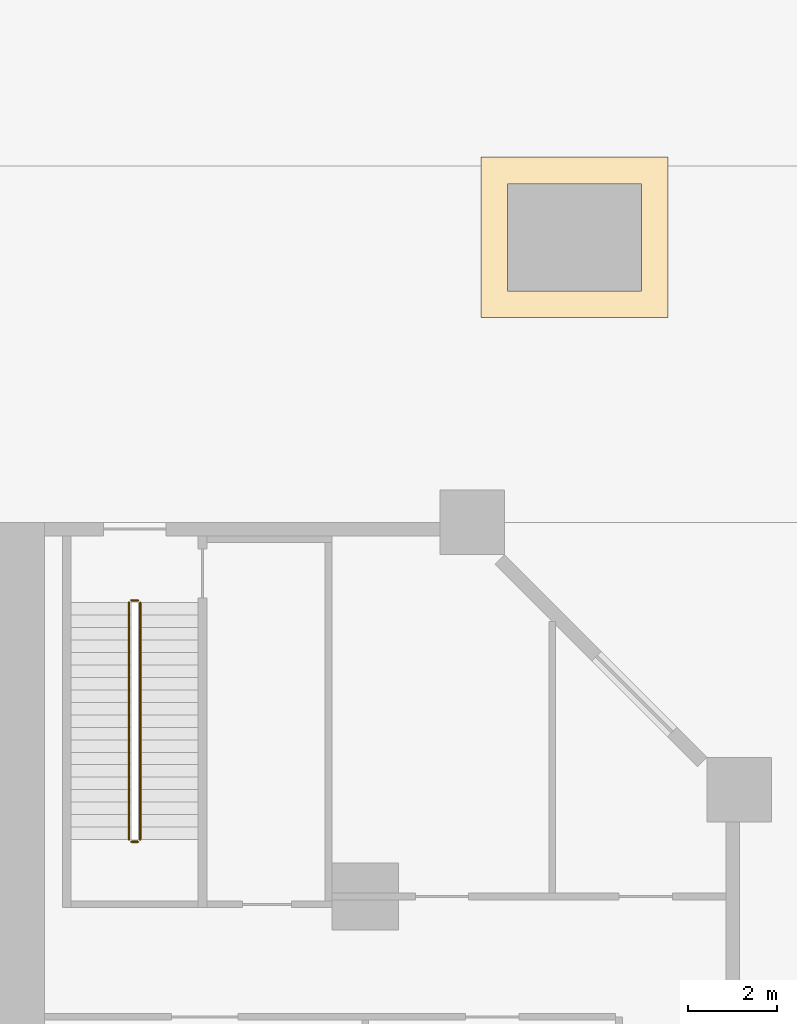
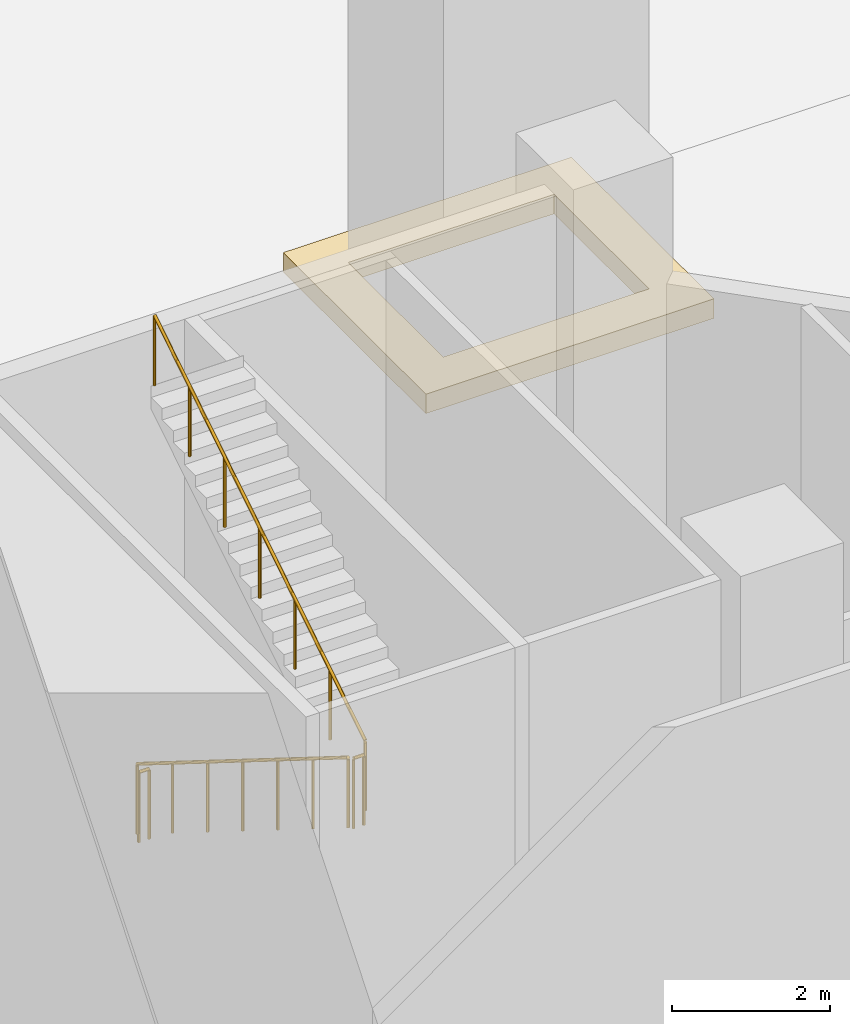
# One storey, part 31 of 32: 4 railings, 1 covering.
"""IFC4 building model written with IfcOpenShell, lengths in metres."""

import ifcopenshell
import ifcopenshell.guid

model = None  # the IFC model being written
_history = None  # IfcOwnerHistory: only IFC2X3 demands one
_inside = {}  # id of a spatial element -> (the spatial element, [elements in it])
_under = {}  # id of a project, library or spatial element -> (it, [spatial elements below it])
_declared = {}  # id of a project -> (the project, [libraries it declares])
_typed = {}  # id of a type object -> (the type object, [elements of that type])
_made_of = {}  # id of a material, layer set ... -> (it, [elements and type objects made of it])


def new_model(schema):
    """Start an empty IFC model of exactly this schema.

    Asked for "IFC4X3", IfcOpenShell would pick the latest addendum, in which some entities
    have other attributes; the version numbers below select the first issue.
    IFC2X3 requires an IfcOwnerHistory on every rooted entity: one is made here for all.
    """
    global model, _history
    if schema == "IFC4X3":
        model = ifcopenshell.file(schema_version=(4, 3, 0, 0))
    else:
        model = ifcopenshell.file(schema=schema)
    _inside.clear()
    _under.clear()
    _declared.clear()
    _typed.clear()
    _made_of.clear()
    _history = None
    if model.schema == "IFC2X3":
        org = make("IfcOrganization", Name="unknown")
        user = make(
            "IfcPersonAndOrganization",
            ThePerson=make("IfcPerson", FamilyName="unknown"),
            TheOrganization=org,
        )
        app = make(
            "IfcApplication",
            ApplicationDeveloper=org,
            Version="unknown",
            ApplicationFullName="unknown",
            ApplicationIdentifier="unknown",
        )
        _history = make(
            "IfcOwnerHistory",
            OwningUser=user,
            OwningApplication=app,
            ChangeAction="ADDED",
            CreationDate=0,
        )
    return model


def make(cls, **values):
    """One entity of the class cls with the attributes given. An attribute that is None is left unset."""
    return model.create_entity(
        cls, **{name: value for name, value in values.items() if value is not None}
    )


def rooted(cls, **values):
    """An entity with a GlobalId (a new one), such as an element, a storey or a relation."""
    return make(cls, GlobalId=ifcopenshell.guid.new(), OwnerHistory=_history, **values)


def si_unit(unit_type, name, prefix=None):
    """IfcSIUnit, for example si_unit("LENGTHUNIT", "METRE", prefix="MILLI")."""
    return make("IfcSIUnit", UnitType=unit_type, Prefix=prefix, Name=name)


def assignment(units):
    """IfcUnitAssignment: the units of a project."""
    return None if units is None else make("IfcUnitAssignment", Units=units)


def point(xyz):
    """IfcCartesianPoint."""
    return None if xyz is None else make("IfcCartesianPoint", Coordinates=xyz)


def direction(xyz):
    """IfcDirection."""
    return None if xyz is None else make("IfcDirection", DirectionRatios=xyz)


def frame(location, z_axis=None, x_axis=None):
    """IfcAxis2Placement3D, a coordinate frame: its origin and axes. An axis left out is left unset."""
    return make(
        "IfcAxis2Placement3D",
        Location=point(location),
        Axis=direction(z_axis),
        RefDirection=direction(x_axis),
    )


def frame_2d(location, x_axis=None):
    """IfcAxis2Placement2D, a coordinate frame in the plane: its origin and x axis."""
    return make(
        "IfcAxis2Placement2D", Location=point(location), RefDirection=direction(x_axis)
    )


def origin():
    """The frame at (0, 0, 0) with its axes left unset."""
    return frame((0.0, 0.0, 0.0))


def origin_2d():
    """The frame at (0, 0) in the plane with its x axis left unset."""
    return frame_2d((0.0, 0.0))


def place(relative_to, where):
    """IfcLocalPlacement: puts the frame where relative to a parent placement (None: the world)."""
    return make(
        "IfcLocalPlacement", PlacementRelTo=relative_to, RelativePlacement=where
    )


def context(
    kind, dimensions, precision=None, world=None, true_north=None, identifier=None
):
    """IfcGeometricRepresentationContext, for example the 3D "Model" context."""
    return make(
        "IfcGeometricRepresentationContext",
        ContextIdentifier=identifier,
        ContextType=kind,
        CoordinateSpaceDimension=dimensions,
        Precision=precision,
        WorldCoordinateSystem=world,
        TrueNorth=true_north,
    )


def subcontext(parent, identifier, kind, view, scale=None):
    """IfcGeometricRepresentationSubContext, for example "Body" below "Model"."""
    return make(
        "IfcGeometricRepresentationSubContext",
        ContextIdentifier=identifier,
        ContextType=kind,
        ParentContext=parent,
        TargetScale=scale,
        TargetView=view,
    )


def project(units=None, contexts=None):
    """IfcProject with its units and contexts."""
    return rooted(
        "IfcProject",
        Name="project",
        RepresentationContexts=contexts,
        UnitsInContext=assignment(units),
    )


def spatial(cls, under=None, at=None, **own):
    """A site, building, storey or space (cls), placed at a placement, below another one or the project."""
    s = rooted(cls, ObjectPlacement=at, **own)
    if under is not None:
        _under.setdefault(under.id(), (under, []))[1].append(s)
    return s


def polyline(points):
    """IfcPolyline through the points."""
    return make("IfcPolyline", Points=[point(p) for p in points])


def profile(cls, at=None, kind="AREA", **sizes):
    """A parametric profile (cls). Its sizes go by their IFC names, for example OverallWidth=200.0."""
    return make(cls, ProfileType=kind, Position=at, **sizes)


def circle(**sizes):
    """IfcCircleProfileDef."""
    return profile("IfcCircleProfileDef", **sizes)


def outline(outer, holes=None, kind="AREA"):
    """IfcArbitraryClosedProfileDef: a profile drawn as a closed curve; with holes, ...WithVoids."""
    if holes is None:
        return make("IfcArbitraryClosedProfileDef", ProfileType=kind, OuterCurve=outer)
    return make(
        "IfcArbitraryProfileDefWithVoids",
        ProfileType=kind,
        OuterCurve=outer,
        InnerCurves=holes,
    )


def extrude(swept, where, along, depth):
    """IfcExtrudedAreaSolid: the profile swept, set in the frame where, extruded along a direction by depth."""
    return make(
        "IfcExtrudedAreaSolid",
        SweptArea=swept,
        Position=where,
        ExtrudedDirection=direction(along),
        Depth=depth,
    )


def shape(context_of_items, identifier, shape_type, items):
    """IfcShapeRepresentation: the items that make up one representation, for example the "Body"."""
    return make(
        "IfcShapeRepresentation",
        ContextOfItems=context_of_items,
        RepresentationIdentifier=identifier,
        RepresentationType=shape_type,
        Items=items,
    )


def material(Name=None, Category=None):
    """IfcMaterial."""
    return make("IfcMaterial", Name=Name, Category=Category)


def layer(
    of_material, thickness, ventilated=None, Name=None, Category=None, Priority=None
):
    """IfcMaterialLayer: one layer of a wall or slab, of a material (None: an air gap)."""
    return make(
        "IfcMaterialLayer",
        Material=of_material,
        LayerThickness=thickness,
        IsVentilated=ventilated,
        Name=Name,
        Category=Category,
        Priority=Priority,
    )


def layer_set(layers, Name=None):
    """IfcMaterialLayerSet."""
    return make("IfcMaterialLayerSet", MaterialLayers=layers, LayerSetName=Name)


def made_of(thing, what):
    """Note that an element or type object is made of a material, layer set ...; save() writes the relation."""
    if what is not None:
        _made_of.setdefault(what.id(), (what, []))[1].append(thing)
    return thing


def type_object(cls, material=None, **own):
    """A type object (cls), such as IfcWallType, which elements share."""
    return made_of(rooted(cls, **own), material)


def element(
    cls,
    number,
    at=None,
    inside=None,
    cuts=None,
    type_object=None,
    material=None,
    context=None,
    identifier="Body",
    shape_type=None,
    held_by="IfcProductDefinitionShape",
    body=None,
    shapes=None,
    **own,
):
    """One element of the class cls, such as IfcWall. Its Tag is "e" and its number.

    at: its placement. inside: the storey or other place that contains it. cuts: it is an
    opening in that element (IfcRelVoidsElement). A single representation is given by context,
    identifier, shape_type and body (its items); several are given by shapes. held_by: the class
    of the entity that holds the representations. save() writes the other relations.
    """
    e = rooted(cls, Tag="e%d" % number, ObjectPlacement=at, **own)
    if body is not None:
        shapes = [shape(context, identifier, shape_type, body)]
    if shapes is not None:
        e.Representation = make(held_by, Representations=shapes)
    if inside is not None:
        _inside.setdefault(inside.id(), (inside, []))[1].append(e)
    if cuts is not None:
        rooted(
            "IfcRelVoidsElement", RelatingBuildingElement=cuts, RelatedOpeningElement=e
        )
    if type_object is not None:
        _typed.setdefault(type_object.id(), (type_object, []))[1].append(e)
    return made_of(e, material)


def aggregate(whole, parts):
    """IfcRelAggregates: a whole, such as a stair, and the parts it consists of."""
    return rooted("IfcRelAggregates", RelatingObject=whole, RelatedObjects=parts)


def save(model, path):
    """Write the relations noted so far, then the file.

    IfcRelAggregates (storeys below a building ...), IfcRelContainedInSpatialStructure (elements
    in a storey), IfcRelDefinesByType, IfcRelAssociatesMaterial and IfcRelDeclares: one each for
    every whole, place, type object, material and project.
    """
    for whole, parts in _under.values():
        aggregate(whole, parts)
    for where, things in _inside.values():
        rooted(
            "IfcRelContainedInSpatialStructure",
            RelatedElements=things,
            RelatingStructure=where,
        )
    for kind, things in _typed.values():
        rooted("IfcRelDefinesByType", RelatedObjects=things, RelatingType=kind)
    for what, things in _made_of.values():
        rooted("IfcRelAssociatesMaterial", RelatedObjects=things, RelatingMaterial=what)
    for by, libraries in _declared.values():
        rooted("IfcRelDeclares", RelatingContext=by, RelatedDefinitions=libraries)
    model.write(path)


model = new_model("IFC4")

# Units and contexts
model_context = context("Model", 3, precision=1e-05, world=origin(), true_north=direction((0.0, 1.0)))
body_context = subcontext(model_context, "Body", "Model", "MODEL_VIEW")
ifc_project = project(units=[si_unit("LENGTHUNIT", "METRE"), si_unit("AREAUNIT", "SQUARE_METRE"), si_unit("VOLUMEUNIT", "CUBIC_METRE"), si_unit("PLANEANGLEUNIT", "RADIAN"), si_unit("MASSUNIT", "GRAM", prefix="KILO")], contexts=[model_context])

# Site, building, storey
site_placement = place(None, origin())
site = spatial("IfcSite", under=ifc_project, at=site_placement, CompositionType="ELEMENT")
building_placement = place(site_placement, origin())
building = spatial("IfcBuilding", under=site, at=building_placement, Name="Kawkab Arch Medical Tower", CompositionType="ELEMENT")
storey_placement = place(building_placement, origin())
storey = spatial("IfcBuildingStorey", under=building, at=storey_placement, Name="L01", CompositionType="ELEMENT", Elevation=0.0)

# Covering
ifc_material_1 = material(Name="Polished granite plinth", Category="masonry")
ifc_layer = layer(ifc_material_1, 0.300048828125)
ifc_layer_set = layer_set([ifc_layer], Name="Polished granite plinth")
covering_type = type_object("IfcCoveringType", Name="Granite plinth ring 300", PredefinedType="USERDEFINED", material=ifc_layer_set)
covering_placement = place(storey_placement, origin())
element("IfcCovering", 1, at=covering_placement, inside=storey, type_object=covering_type, Name="Portal arch plinth NE", ObjectType="PLINTH", PredefinedType="USERDEFINED", context=body_context, shape_type="SweptSolid", body=[
    extrude(outline(polyline([(86.60009765625, 4.60009765625), (90.800048828125, 4.60009765625), (90.800048828125, 8.199951171875), (86.60009765625, 8.199951171875), (86.60009765625, 4.60009765625)]), holes=[polyline([(90.199951171875, 5.199951171875), (87.199951171875, 5.199951171875), (87.199951171875, 7.60009765625), (90.199951171875, 7.60009765625), (90.199951171875, 5.199951171875)])]), origin(), (0.0, 0.0, 1.0), 0.300048828125),
])

# Railings
ifc_material_2 = material(Name="Stainless steel", Category="steel")
railing_type = type_object("IfcRailingType", Name="Stair guard 1100", PredefinedType="GUARDRAIL", material=ifc_material_2)
railing_1_placement = place(storey_placement, frame((78.699951171875, -1.800048828125, 0.175048828125)))
element("IfcRailing", 2, at=railing_1_placement, inside=storey, type_object=railing_type, Name="L01 ST7 stair guard 1", PredefinedType="GUARDRAIL", context=body_context, shape_type="SweptSolid", body=[
    extrude(circle(Radius=0.02392578125, at=origin_2d()), frame((0.0, 0.0, 1.076171875), z_axis=(0.0, -0.848004862711, 0.52998844593), x_axis=(1.0, 0.0, 0.0)), (0.0, 0.0, 1.0), 6.273681640625),
    extrude(circle(Radius=0.02099609375, at=origin_2d()), origin(), (0.0, 0.0, 1.0), 1.052001953125),
    extrude(circle(Radius=0.02099609375, at=origin_2d()), frame((0.0, -0.88671875, 0.55419921875)), (0.0, 0.0, 1.0), 1.052001953125),
    extrude(circle(Radius=0.02099609375, at=origin_2d()), frame((0.0, -1.7734375, 1.1083984375)), (0.0, 0.0, 1.0), 1.052001953125),
    extrude(circle(Radius=0.02099609375, at=origin_2d()), frame((0.0, -2.66015625, 1.66259765625)), (0.0, 0.0, 1.0), 1.052001953125),
    extrude(circle(Radius=0.02099609375, at=origin_2d()), frame((0.0, -3.546630859375, 2.216552734375)), (0.0, 0.0, 1.0), 1.052001953125),
    extrude(circle(Radius=0.02099609375, at=origin_2d()), frame((0.0, -4.433349609375, 2.770751953125)), (0.0, 0.0, 1.0), 1.052001953125),
    extrude(circle(Radius=0.02099609375, at=origin_2d()), frame((0.0, -5.320068359375, 3.324951171875)), (0.0, 0.0, 1.0), 1.052001953125),
])
railing_2_placement = place(storey_placement, frame((78.75, -7.169921875, 3.5)))
element("IfcRailing", 3, at=railing_2_placement, inside=storey, type_object=railing_type, Name="L01 ST7 stair guard 2", PredefinedType="GUARDRAIL", context=body_context, shape_type="SweptSolid", body=[
    extrude(circle(Radius=0.02392578125, at=origin_2d()), frame((0.0, 0.0, 1.076171875), z_axis=(1.0, 0.0, 0.0), x_axis=(0.0, 1.0, 0.0)), (0.0, 0.0, 1.0), 0.14990234375),
    extrude(circle(Radius=0.02099609375, at=origin_2d()), origin(), (0.0, 0.0, 1.0), 1.052001953125),
    extrude(circle(Radius=0.02099609375, at=origin_2d()), frame((0.14990234375, 0.0, 0.0)), (0.0, 0.0, 1.0), 1.052001953125),
])
railing_3_placement = place(storey_placement, frame((78.949951171875, -7.1201171875, 3.675048828125)))
element("IfcRailing", 4, at=railing_3_placement, inside=storey, type_object=railing_type, Name="L01 ST7 stair guard 3", PredefinedType="GUARDRAIL", context=body_context, shape_type="SweptSolid", body=[
    extrude(circle(Radius=0.02392578125, at=origin_2d()), frame((0.0, 0.0, 1.076171875), z_axis=(0.0, 0.848004862711, 0.52998844593), x_axis=(-1.0, 0.0, 0.0)), (0.0, 0.0, 1.0), 6.273681640625),
    extrude(circle(Radius=0.02099609375, at=origin_2d()), origin(), (0.0, 0.0, 1.0), 1.052001953125),
    extrude(circle(Radius=0.02099609375, at=origin_2d()), frame((0.0, 0.88671875, 0.55419921875)), (0.0, 0.0, 1.0), 1.052001953125),
    extrude(circle(Radius=0.02099609375, at=origin_2d()), frame((0.0, 1.7734375, 1.1083984375)), (0.0, 0.0, 1.0), 1.052001953125),
    extrude(circle(Radius=0.02099609375, at=origin_2d()), frame((0.0, 2.66015625, 1.66259765625)), (0.0, 0.0, 1.0), 1.052001953125),
    extrude(circle(Radius=0.02099609375, at=origin_2d()), frame((0.0, 3.546630859375, 2.216552734375)), (0.0, 0.0, 1.0), 1.052001953125),
    extrude(circle(Radius=0.02099609375, at=origin_2d()), frame((0.0, 4.433349609375, 2.770751953125)), (0.0, 0.0, 1.0), 1.052001953125),
    extrude(circle(Radius=0.02099609375, at=origin_2d()), frame((0.0, 5.320068359375, 3.324951171875)), (0.0, 0.0, 1.0), 1.052001953125),
])
railing_4_placement = place(storey_placement, frame((78.75, -1.75, 0.0)))
element("IfcRailing", 5, at=railing_4_placement, inside=storey, type_object=railing_type, Name="L01 ST7 stair guard 4", PredefinedType="GUARDRAIL", context=body_context, shape_type="SweptSolid", body=[
    extrude(circle(Radius=0.02392578125, at=origin_2d()), frame((0.0, 0.0, 1.076171875), z_axis=(1.0, 0.0, 0.0), x_axis=(0.0, 1.0, 0.0)), (0.0, 0.0, 1.0), 0.14990234375),
    extrude(circle(Radius=0.02099609375, at=origin_2d()), origin(), (0.0, 0.0, 1.0), 1.052001953125),
    extrude(circle(Radius=0.02099609375, at=origin_2d()), frame((0.14990234375, 0.0, 0.0)), (0.0, 0.0, 1.0), 1.052001953125),
])

save(model, "model.ifc")
